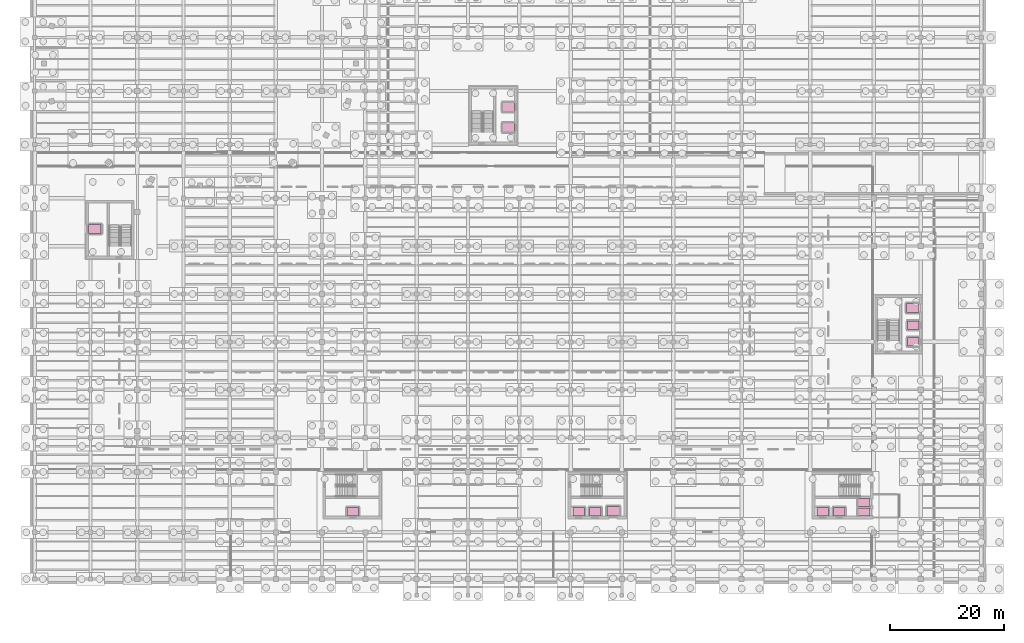
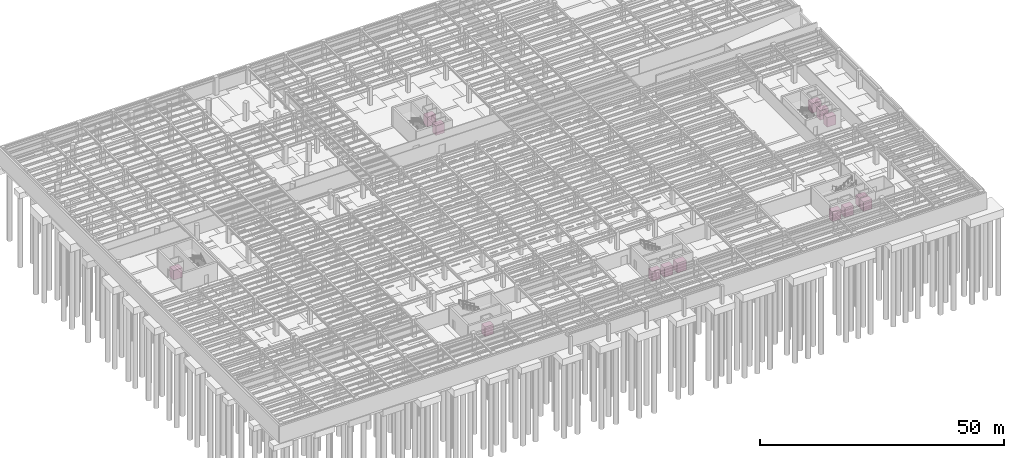
# One storey, part 49 of 49: 14 transport elements.
"""IFC4 building model written with IfcOpenShell, lengths in metres."""

from ifc_helpers import new_model, si_unit, direction, frame, origin, origin_2d, place, context, subcontext, project, spatial, rectangle, extrude, material, type_object, element, save


model = new_model("IFC4")

# Units and contexts
model_context = context("Model", 3, precision=1e-05, world=origin(), true_north=direction((0.0, 1.0)))
body_context = subcontext(model_context, "Body", "Model", "MODEL_VIEW")
ifc_project = project(units=[si_unit("LENGTHUNIT", "METRE"), si_unit("AREAUNIT", "SQUARE_METRE"), si_unit("VOLUMEUNIT", "CUBIC_METRE"), si_unit("PLANEANGLEUNIT", "RADIAN"), si_unit("MASSUNIT", "GRAM", prefix="KILO")], contexts=[model_context])

# Site, building, storey
site_placement = place(None, origin())
site = spatial("IfcSite", under=ifc_project, at=site_placement, CompositionType="ELEMENT")
building_placement = place(site_placement, origin())
building = spatial("IfcBuilding", under=site, at=building_placement, Name="Sollismere Congress Hotel", CompositionType="ELEMENT")
storey_placement = place(building_placement, frame((0.0, 0.0, -4.5)))
storey = spatial("IfcBuildingStorey", under=building, at=storey_placement, Name="B1", CompositionType="ELEMENT", Elevation=-4.5)

# Transport elements
ifc_material_1 = material(Name="Stainless Steel Elevator Car", Category="steel")
transport_element_type_1 = type_object("IfcTransportElementType", Name="LFT-FSAE", PredefinedType="ELEVATOR", material=ifc_material_1)
for number, where, z_axis, x_axis, name in (
    (1, (145.47998046875, 11.75, 0.050048828125), (0.0, 0.0, 1.0), (1.0, 0.0, 0.0), "Firefighting elevator FL-01"),
    (2, (145.47998046875, 13.449951171875, 0.050048828125), (0.0, 0.0, 1.0), (1.0, 0.0, 0.0), "Firefighting elevator FL-02"),
):
    element("IfcTransportElement", number, at=place(storey_placement, frame(where, z_axis=z_axis, x_axis=x_axis)), inside=storey, type_object=transport_element_type_1, Name=name, PredefinedType="ELEVATOR", context=body_context, shape_type="SweptSolid", body=[
        extrude(rectangle(XDim=2.10009765625, YDim=1.449951171875, at=origin_2d()), origin(), (0.0, 0.0, 1.0), 2.39990234375),
    ])
ifc_material_2 = material(Name="Bronze and Stone Passenger Elevator Car", Category="masonry")
transport_element_type_2 = type_object("IfcTransportElementType", Name="LFT-PASS", PredefinedType="ELEVATOR", material=ifc_material_2)
for number, where, z_axis, x_axis, name in (
    (3, (138.199951171875, 11.820068359375, 0.050048828125), (0.0, 0.0, 1.0), (1.0, 0.0, 0.0), "Passenger elevator LP-01"),
    (4, (141.10009765625, 11.820068359375, 0.050048828125), (0.0, 0.0, 1.0), (1.0, 0.0, 0.0), "Passenger elevator LP-02"),
    (5, (95.39990234375, 11.820068359375, 0.050048828125), (0.0, 0.0, 1.0), (1.0, 0.0, 0.0), "Passenger elevator LP-03"),
    (6, (98.300048828125, 11.820068359375, 0.050048828125), (0.0, 0.0, 1.0), (1.0, 0.0, 0.0), "Passenger elevator LP-04"),
    (7, (154.10009765625, 41.60009765625, 0.050048828125), (0.0, 0.0, 1.0), (1.0, 0.0, 0.0), "Passenger elevator LP-05"),
    (8, (154.10009765625, 44.5, 0.050048828125), (0.0, 0.0, 1.0), (1.0, 0.0, 0.0), "Passenger elevator LP-06"),
    (9, (83.10009765625, 79.199951171875, 0.050048828125), (0.0, 0.0, 1.0), (1.0, 0.0, 0.0), "Passenger elevator LP-07"),
    (10, (83.10009765625, 82.800048828125, 0.050048828125), (0.0, 0.0, 1.0), (1.0, 0.0, 0.0), "Passenger elevator LP-08"),
    (11, (55.800048828125, 11.820068359375, 0.050048828125), (0.0, 0.0, 1.0), (1.0, 0.0, 0.0), "Passenger elevator LP-09"),
):
    element("IfcTransportElement", number, at=place(storey_placement, frame(where, z_axis=z_axis, x_axis=x_axis)), inside=storey, type_object=transport_element_type_2, Name=name, PredefinedType="ELEVATOR", context=body_context, shape_type="SweptSolid", body=[
        extrude(rectangle(XDim=2.050048828125, YDim=1.5, at=origin_2d()), origin(), (0.0, 0.0, 1.0), 2.39990234375),
    ])
ifc_material_3 = material(Name="Heavy-Duty Stainless Service Elevator Car")
transport_element_type_3 = type_object("IfcTransportElementType", Name="LFT-SERV", PredefinedType="ELEVATOR", material=ifc_material_3)
for number, where, z_axis, x_axis, name in (
    (12, (101.449951171875, 11.89990234375, 0.050048828125), (0.0, 0.0, 1.0), (1.0, 0.0, 0.0), "Passenger elevator LS-01"),
    (13, (154.02001953125, 47.550048828125, 0.050048828125), (0.0, 0.0, 1.0), (1.0, 0.0, 0.0), "Passenger elevator LS-02"),
    (14, (10.580078125, 61.39990234375, 0.050048828125), (0.0, 0.0, 1.0), (1.0, 0.0, 0.0), "Passenger elevator LS-03"),
):
    element("IfcTransportElement", number, at=place(storey_placement, frame(where, z_axis=z_axis, x_axis=x_axis)), inside=storey, type_object=transport_element_type_3, Name=name, PredefinedType="ELEVATOR", context=body_context, shape_type="SweptSolid", body=[
        extrude(rectangle(XDim=2.199951171875, YDim=1.64990234375, at=origin_2d()), origin(), (0.0, 0.0, 1.0), 2.39990234375),
    ])

save(model, "model.ifc")
